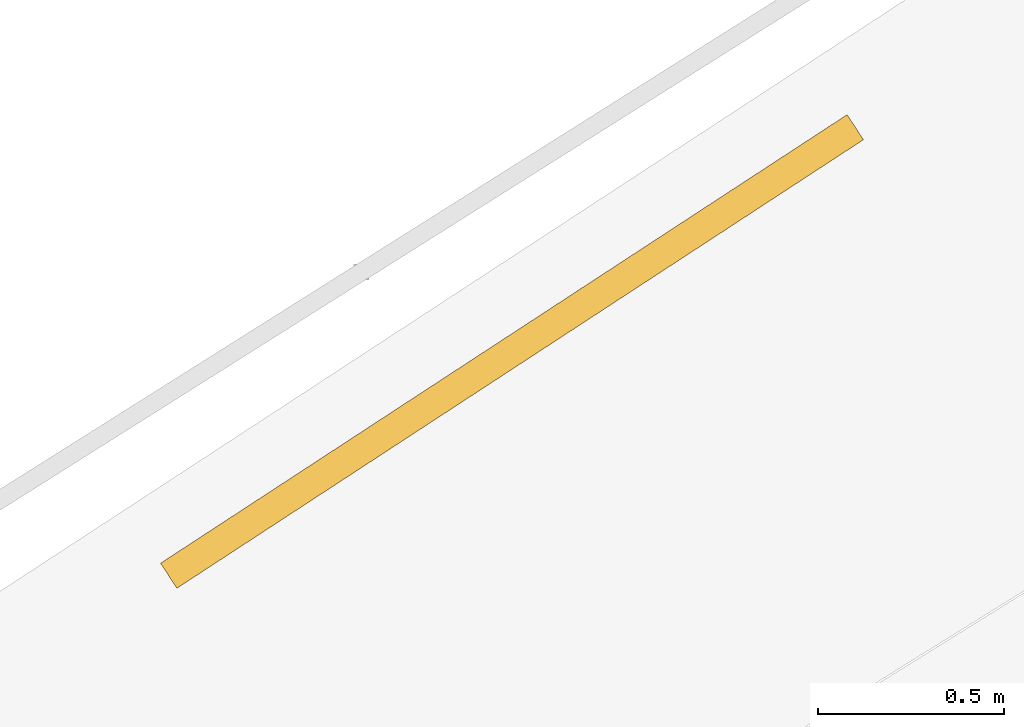
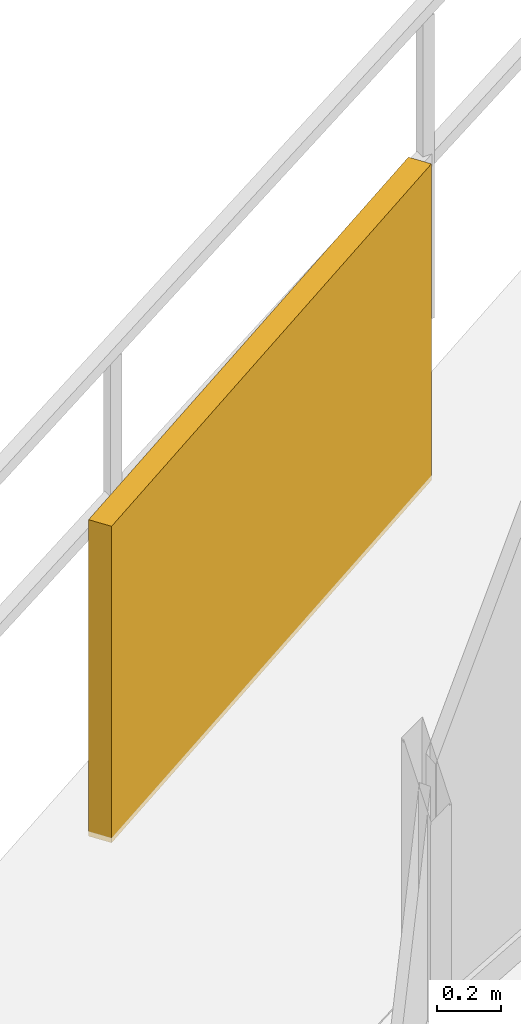
# One storey, part 29 of 30: 1 shading device.
"""IFC4 building model written with IfcOpenShell, lengths in metres."""

from ifc_helpers import new_model, si_unit, direction, frame, origin, origin_2d, place, context, subcontext, project, spatial, rectangle, extrude, material, type_object, element, save


model = new_model("IFC4")

# Units and contexts
model_context = context("Model", 3, precision=1e-05, world=origin(), true_north=direction((0.0, 1.0)))
body_context = subcontext(model_context, "Body", "Model", "MODEL_VIEW")
ifc_project = project(units=[si_unit("LENGTHUNIT", "METRE"), si_unit("AREAUNIT", "SQUARE_METRE"), si_unit("VOLUMEUNIT", "CUBIC_METRE"), si_unit("PLANEANGLEUNIT", "RADIAN"), si_unit("MASSUNIT", "GRAM", prefix="KILO")], contexts=[model_context])

# Site, building, storey
site_placement = place(None, origin())
site = spatial("IfcSite", under=ifc_project, at=site_placement, CompositionType="ELEMENT")
building_placement = place(site_placement, origin())
building = spatial("IfcBuilding", under=site, at=building_placement, Name="Vorneva Point Tower", CompositionType="ELEMENT")
storey_placement = place(building_placement, frame((0.0, 0.0, 157.10009765625)))
storey = spatial("IfcBuildingStorey", under=building, at=storey_placement, Name="L42", CompositionType="ELEMENT", Elevation=157.10009765625)

# Shading device
ifc_material = material(Name="Pale anodised aluminium", Category="aluminium")
shading_device_type = type_object("IfcShadingDeviceType", Name="SHD-JAL-1200", PredefinedType="JALOUSIE", material=ifc_material)
shading_device_placement = place(storey_placement, frame((21.039306640625, 41.289306640625, -0.02001953125), z_axis=(0.0, 0.0, 1.0), x_axis=(-0.837165473414, -0.546949696154, 0.0)))
element("IfcShadingDevice", 1, at=shading_device_placement, inside=storey, type_object=shading_device_type, Name="L42 Balcony Vertical-Greenery Planter Screen NW.2", PredefinedType="JALOUSIE", context=body_context, shape_type="SweptSolid", body=[
    extrude(rectangle(XDim=2.199951171875, YDim=0.080078125, at=origin_2d()), origin(), (0.0, 0.0, 1.0), 1.199951171875),
])

save(model, "model.ifc")
